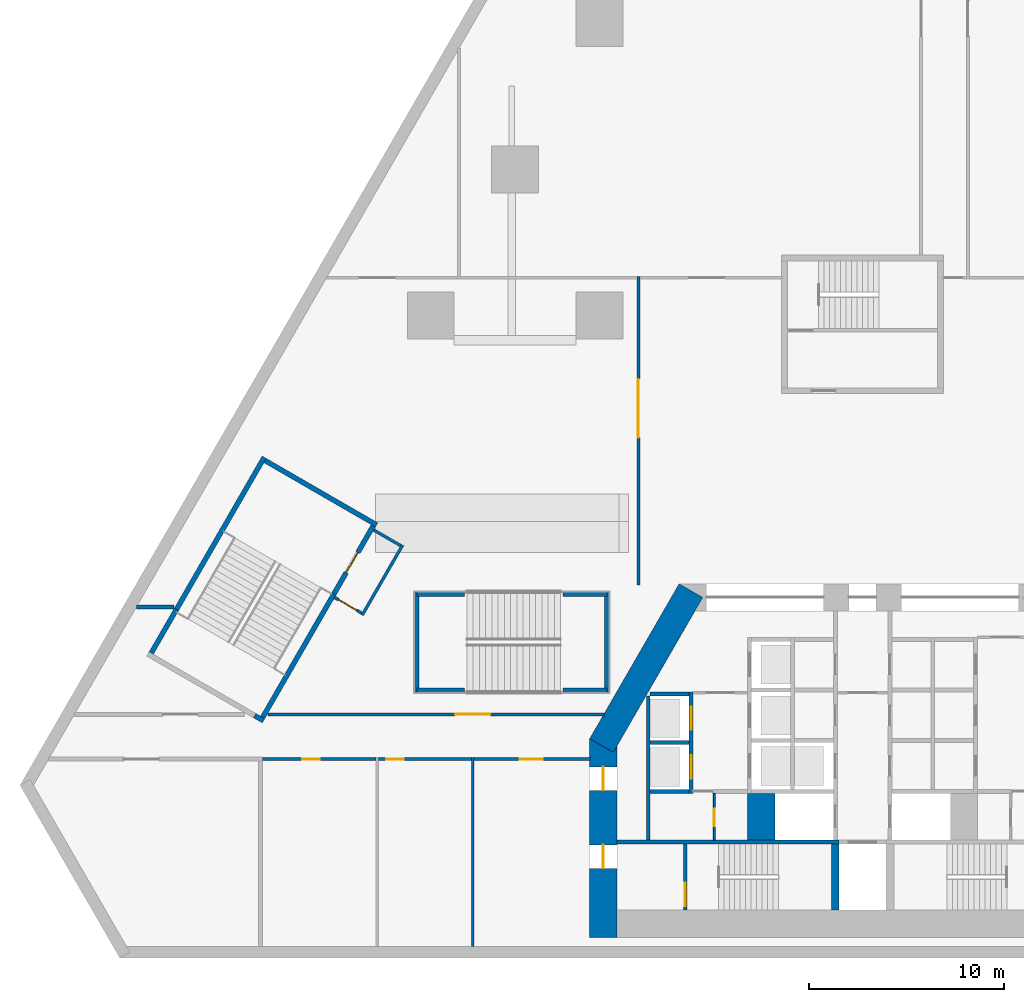
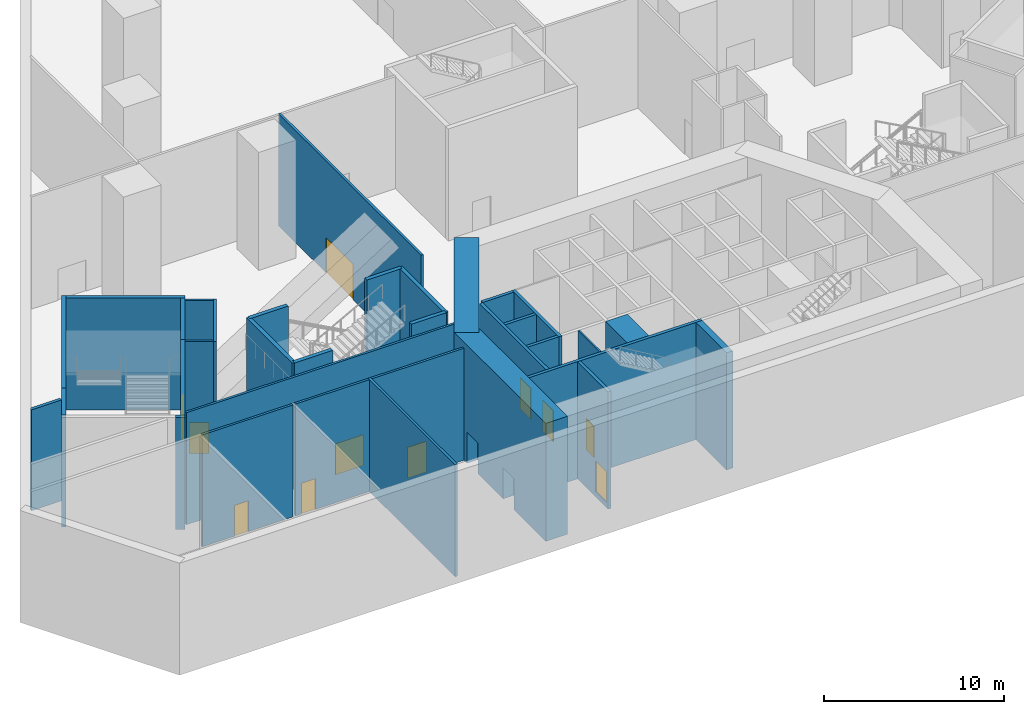
# One storey, part 2 of 11: 34 walls, 13 doors, 13 openings.
"""IFC4 building model written with IfcOpenShell, lengths in metres."""

from ifc_helpers import new_model, si_unit, direction, frame, frame_2d, origin, place, context, subcontext, project, spatial, rectangle, extrude, material, layer, layer_set, type_object, element, fill, save


model = new_model("IFC4")

# Units and contexts
model_context = context("Model", 3, precision=1e-05, world=origin(), true_north=direction((0.0, 1.0)))
body_context = subcontext(model_context, "Body", "Model", "MODEL_VIEW")
ifc_project = project(units=[si_unit("LENGTHUNIT", "METRE"), si_unit("AREAUNIT", "SQUARE_METRE"), si_unit("VOLUMEUNIT", "CUBIC_METRE"), si_unit("PLANEANGLEUNIT", "RADIAN"), si_unit("MASSUNIT", "GRAM", prefix="KILO")], contexts=[model_context])

# Site, building, storey
site_placement = place(None, origin())
site = spatial("IfcSite", under=ifc_project, at=site_placement, CompositionType="ELEMENT")
building_placement = place(site_placement, origin())
building = spatial("IfcBuilding", under=site, at=building_placement, Name="Fogline Exchange Tower", CompositionType="ELEMENT")
storey_placement = place(building_placement, frame((0.0, 0.0, -8.0)))
storey = spatial("IfcBuildingStorey", under=building, at=storey_placement, Name="B1", CompositionType="ELEMENT", Elevation=-8.0)

# Wall, opening, door
ifc_material_1 = material(Name="Blockwork partition", Category="masonry")
ifc_layer_1 = layer(ifc_material_1, 0.10009765625)
ifc_layer_set_1 = layer_set([ifc_layer_1], Name="CW10")
wall_type_1 = type_object("IfcWallType", Name="CW10", PredefinedType="PARTITIONING", material=ifc_layer_set_1)
wall_1_placement = place(storey_placement, frame((-7.60009765625, 5.85009765625, 0.0), z_axis=(0.0, 0.0, 1.0), x_axis=(0.0, 1.0, 0.0)))
wall_1 = element("IfcWall", 1, at=wall_1_placement, inside=storey, type_object=wall_type_1, Name="WC partition", PredefinedType="PARTITIONING", context=body_context, shape_type="SweptSolid", body=[
    extrude(rectangle(XDim=2.39990234375, YDim=0.10009765625, at=frame_2d((1.199951171875, 0.0))), origin(), (0.0, 0.0, 1.0), 7.60009765625),
])
opening_1_placement = place(wall_1_placement, frame((0.699951171875, 0.0, 0.0)))
opening_1 = element("IfcOpeningElement", 2, at=opening_1_placement, cuts=wall_1, Name="Opening B1-C013", PredefinedType="OPENING", context=body_context, shape_type="SweptSolid", body=[
    extrude(rectangle(XDim=0.89990234375, YDim=2.10009765625, at=frame_2d((0.449951171875, 1.050048828125))), frame((0.0, 0.06005859375, 0.0), z_axis=(0.0, -1.0, 0.0), x_axis=(1.0, 0.0, 0.0)), (0.0, 0.0, 1.0), 0.1201171875),
])
ifc_material_2 = material(Name="Steel and timber fire door", Category="steel")
door_type_1 = type_object("IfcDoorType", Name="D-CS1", OperationType="SINGLE_SWING_RIGHT", PredefinedType="DOOR", material=ifc_material_2)
door_1_placement = place(opening_1_placement, frame((0.89990234375, 0.0, 0.0), z_axis=(0.0, 0.0, 1.0), x_axis=(-1.0, 0.0, 0.0)))
door_1 = element("IfcDoor", 3, at=door_1_placement, inside=storey, type_object=door_type_1, Name="Door to Cleaner's Store", OperationType="SINGLE_SWING_RIGHT", OverallHeight=2.10009765625, OverallWidth=0.89990234375, PredefinedType="DOOR", context=body_context, shape_type="SweptSolid", body=[
    extrude(rectangle(XDim=0.89990234375, YDim=2.10009765625, at=frame_2d((0.449951171875, 1.050048828125))), frame((0.0, 0.02490234375, 0.0), z_axis=(0.0, -1.0, 0.0), x_axis=(1.0, 0.0, 0.0)), (0.0, 0.0, 1.0), 0.050048828125),
])
fill(opening_1, door_1)

# Walls
ifc_material_3 = material(Name="Concrete C60", Category="concrete")
ifc_layer_2 = layer(ifc_material_3, 1.39990234375)
ifc_layer_set_2 = layer_set([ifc_layer_2], Name="CW140")
wall_type_2 = type_object("IfcWallType", Name="CW140", PredefinedType="SOLIDWALL", material=ifc_layer_set_2)
wall_2_placement = place(storey_placement, frame((-5.199951171875, 5.85009765625, -0.35009765625), z_axis=(0.0, 0.0, 1.0), x_axis=(0.0, 1.0, 0.0)))
element("IfcWall", 4, at=wall_2_placement, inside=storey, type_object=wall_type_2, Name="Lift shaft block wall", PredefinedType="SOLIDWALL", context=body_context, shape_type="SweptSolid", body=[
    extrude(rectangle(XDim=2.39990234375, YDim=1.39990234375, at=frame_2d((1.199951171875, 0.0))), origin(), (0.0, 0.0, 1.0), 7.9501953125),
])
ifc_material_4 = material(Name="Concrete C40", Category="concrete")
ifc_layer_3 = layer(ifc_material_4, 0.199951171875)
ifc_layer_set_3 = layer_set([ifc_layer_3], Name="CW20")
wall_type_3 = type_object("IfcWallType", Name="CW20", PredefinedType="SOLIDWALL", material=ifc_layer_set_3)
wall_3_placement = place(storey_placement, frame((-11.0, 5.85009765625, 0.0), z_axis=(0.0, 0.0, 1.0), x_axis=(0.0, 1.0, 0.0)))
element("IfcWall", 5, at=wall_3_placement, inside=storey, type_object=wall_type_3, Name="Service room wall", PredefinedType="SOLIDWALL", context=body_context, shape_type="SweptSolid", body=[
    extrude(rectangle(XDim=7.39990234375, YDim=0.199951171875, at=frame_2d((3.699951171875, 0.0))), origin(), (0.0, 0.0, 1.0), 7.60009765625),
])
ifc_layer_4 = layer(ifc_material_4, 0.199951171875)
ifc_layer_set_4 = layer_set([ifc_layer_4], Name="CW20R")
wall_type_4 = type_object("IfcWallType", Name="CW20R", PredefinedType="SOLIDWALL", material=ifc_layer_set_4)
wall_4_placement = place(storey_placement, frame((-12.60009765625, 5.75, -0.35009765625), z_axis=(0.0, 0.0, 1.0), x_axis=(1.0, 0.0, 0.0)))
element("IfcWall", 6, at=wall_4_placement, inside=storey, type_object=wall_type_4, Name="Stair enclosure wall", PredefinedType="SOLIDWALL", context=body_context, shape_type="SweptSolid", body=[
    extrude(rectangle(XDim=11.400146484375, YDim=0.199951171875, at=frame_2d((5.7001953125, 0.0))), origin(), (0.0, 0.0, 1.0), 7.9501953125),
])

# Wall, opening, door
wall_5_placement = place(storey_placement, frame((-9.10009765625, 2.25, -0.35009765625), z_axis=(0.0, 0.0, 1.0), x_axis=(0.0, 1.0, 0.0)))
wall_5 = element("IfcWall", 7, at=wall_5_placement, inside=storey, type_object=wall_type_4, Name="Stair enclosure wall", PredefinedType="SOLIDWALL", context=body_context, shape_type="SweptSolid", body=[
    extrude(rectangle(XDim=3.39990234375, YDim=0.199951171875, at=frame_2d((1.699951171875, 0.0))), origin(), (0.0, 0.0, 1.0), 7.9501953125),
])
opening_2_placement = place(wall_5_placement, frame((0.199951171875, 0.0, 0.35009765625)))
opening_2 = element("IfcOpeningElement", 8, at=opening_2_placement, cuts=wall_5, Name="Opening B1-C015", PredefinedType="OPENING", context=body_context, shape_type="SweptSolid", body=[
    extrude(rectangle(XDim=1.199951171875, YDim=2.10009765625, at=frame_2d((0.60009765625, 1.050048828125))), frame((0.0, 0.10986328125, 0.0), z_axis=(0.0, -1.0, 0.0), x_axis=(1.0, 0.0, 0.0)), (0.0, 0.0, 1.0), 0.219970703125),
])
door_type_2 = type_object("IfcDoorType", Name="D-ST1", OperationType="SINGLE_SWING_LEFT", PredefinedType="DOOR", material=ifc_material_2)
door_2_placement = place(opening_2_placement, frame((1.199951171875, 0.0, 0.0), z_axis=(0.0, 0.0, 1.0), x_axis=(-1.0, 0.0, 0.0)))
door_2 = element("IfcDoor", 9, at=door_2_placement, inside=storey, type_object=door_type_2, Name="Stair door ST1", OperationType="SINGLE_SWING_RIGHT", OverallHeight=2.10009765625, OverallWidth=1.199951171875, PredefinedType="DOOR", context=body_context, shape_type="SweptSolid", body=[
    extrude(rectangle(XDim=1.199951171875, YDim=2.10009765625, at=frame_2d((0.60009765625, 1.050048828125))), frame((0.0, 0.02490234375, 0.0), z_axis=(0.0, -1.0, 0.0), x_axis=(1.0, 0.0, 0.0)), (0.0, 0.0, 1.0), 0.050048828125),
])
fill(opening_2, door_2)

# Wall, openings, doors
ifc_layer_5 = layer(ifc_material_4, 0.199951171875)
ifc_layer_set_5 = layer_set([ifc_layer_5], Name="CW20S")
wall_type_5 = type_object("IfcWallType", Name="CW20S", PredefinedType="SOLIDWALL", material=ifc_layer_set_5)
wall_6_placement = place(storey_placement, frame((-8.800048828125, 8.25, -0.35009765625), z_axis=(0.0, 0.0, 1.0), x_axis=(0.0, 1.0, 0.0)))
wall_6 = element("IfcWall", 10, at=wall_6_placement, inside=storey, type_object=wall_type_5, Name="Lift shaft wall", PredefinedType="SOLIDWALL", context=body_context, shape_type="SweptSolid", body=[
    extrude(rectangle(XDim=5.199951171875, YDim=0.199951171875, at=frame_2d((2.60009765625, 0.0))), origin(), (0.0, 0.0, 1.0), 7.9501953125),
])
opening_3_placement = place(wall_6_placement, frame((0.75, 0.0, 0.35009765625)))
opening_3 = element("IfcOpeningElement", 11, at=opening_3_placement, cuts=wall_6, Name="Opening B1-LD01", PredefinedType="OPENING", context=body_context, shape_type="SweptSolid", body=[
    extrude(rectangle(XDim=1.199951171875, YDim=2.10009765625, at=frame_2d((0.60009765625, 1.050048828125))), frame((0.0, 0.10986328125, 0.0), z_axis=(0.0, -1.0, 0.0), x_axis=(1.0, 0.0, 0.0)), (0.0, 0.0, 1.0), 0.219970703125),
])
opening_4_placement = place(wall_6_placement, frame((3.25, 0.0, 0.35009765625)))
opening_4 = element("IfcOpeningElement", 12, at=opening_4_placement, cuts=wall_6, Name="Opening B1-LD02", PredefinedType="OPENING", context=body_context, shape_type="SweptSolid", body=[
    extrude(rectangle(XDim=1.199951171875, YDim=2.10009765625, at=frame_2d((0.60009765625, 1.050048828125))), frame((0.0, 0.10986328125, 0.0), z_axis=(0.0, -1.0, 0.0), x_axis=(1.0, 0.0, 0.0)), (0.0, 0.0, 1.0), 0.219970703125),
])
door_type_3 = type_object("IfcDoorType", Name="LD1", OperationType="SLIDING_TO_LEFT", PredefinedType="DOOR", material=ifc_material_2)
door_3_placement = place(opening_3_placement, origin())
door_3 = element("IfcDoor", 13, at=door_3_placement, inside=storey, type_object=door_type_3, Name="Landing door LR1", OperationType="SLIDING_TO_LEFT", OverallHeight=2.10009765625, OverallWidth=1.199951171875, PredefinedType="DOOR", context=body_context, shape_type="SweptSolid", body=[
    extrude(rectangle(XDim=1.199951171875, YDim=2.10009765625, at=frame_2d((0.60009765625, 1.050048828125))), frame((0.0, 0.02490234375, 0.0), z_axis=(0.0, -1.0, 0.0), x_axis=(1.0, 0.0, 0.0)), (0.0, 0.0, 1.0), 0.050048828125),
])
fill(opening_3, door_3)
door_4_placement = place(opening_4_placement, origin())
door_4 = element("IfcDoor", 14, at=door_4_placement, inside=storey, type_object=door_type_3, Name="Landing door LR2", OperationType="SLIDING_TO_LEFT", OverallHeight=2.10009765625, OverallWidth=1.199951171875, PredefinedType="DOOR", context=body_context, shape_type="SweptSolid", body=[
    extrude(rectangle(XDim=1.199951171875, YDim=2.10009765625, at=frame_2d((0.60009765625, 1.050048828125))), frame((0.0, 0.02490234375, 0.0), z_axis=(0.0, -1.0, 0.0), x_axis=(1.0, 0.0, 0.0)), (0.0, 0.0, 1.0), 0.050048828125),
])
fill(opening_4, door_4)

# Walls
for number, where, z_axis, x_axis, name in (
    (15, (-10.89990234375, 8.35009765625, -0.35009765625), (0.0, 0.0, 1.0), (1.0, 0.0, 0.0), "Lift shaft wall"),
    (16, (-10.89990234375, 10.85009765625, -0.35009765625), (0.0, 0.0, 1.0), (1.0, 0.0, 0.0), "Lift shaft wall"),
    (17, (-10.89990234375, 13.35009765625, -0.35009765625), (0.0, 0.0, 1.0), (1.0, 0.0, 0.0), "Lift shaft wall"),
):
    element("IfcWall", number, at=place(storey_placement, frame(where, z_axis=z_axis, x_axis=x_axis)), inside=storey, type_object=wall_type_5, Name=name, PredefinedType="SOLIDWALL", context=body_context, shape_type="SweptSolid", body=[
        extrude(rectangle(XDim=2.0, YDim=0.199951171875, at=frame_2d((1.0, 0.0))), origin(), (0.0, 0.0, 1.0), 7.9501953125),
    ])
ifc_layer_6 = layer(ifc_material_4, 0.39990234375)
ifc_layer_set_6 = layer_set([ifc_layer_6], Name="CW40R")
wall_type_6 = type_object("IfcWallType", Name="CW40R", PredefinedType="SOLIDWALL", material=ifc_layer_set_6)
wall_7_placement = place(storey_placement, frame((-1.39990234375, 2.25, -0.35009765625), z_axis=(0.0, 0.0, 1.0), x_axis=(0.0, 1.0, 0.0)))
element("IfcWall", 18, at=wall_7_placement, inside=storey, type_object=wall_type_6, Name="Stair and lift shaft wall", PredefinedType="SOLIDWALL", context=body_context, shape_type="SweptSolid", body=[
    extrude(rectangle(XDim=3.39990234375, YDim=0.39990234375, at=frame_2d((1.699951171875, 0.0))), origin(), (0.0, 0.0, 1.0), 7.9501953125),
])
ifc_material_5 = material(Name="Plasterboard on steel stud", Category="steel")
ifc_layer_7 = layer(ifc_material_5, 0.14990234375)
ifc_layer_set_7 = layer_set([ifc_layer_7], Name="PP1")
wall_type_7 = type_object("IfcWallType", Name="PP1", PredefinedType="PARTITIONING", material=ifc_layer_set_7)
wall_8_placement = place(storey_placement, frame((-20.0, 0.39990234375, 0.0), z_axis=(0.0, 0.0, 1.0), x_axis=(0.0, 1.0, 0.0)))
element("IfcWall", 19, at=wall_8_placement, inside=storey, type_object=wall_type_7, Name="PP1 partition", PredefinedType="PARTITIONING", context=body_context, shape_type="SweptSolid", body=[
    extrude(rectangle(XDim=9.675048828125, YDim=0.14990234375, at=frame_2d((4.83740234375, 0.0))), origin(), (0.0, 0.0, 1.0), 7.60009765625),
])

# Wall, opening, door
wall_9_placement = place(storey_placement, frame((-24.97509765625, 10.0, 0.0), z_axis=(0.0, 0.0, 1.0), x_axis=(-1.0, 0.0, 0.0)))
wall_9 = element("IfcWall", 20, at=wall_9_placement, inside=storey, type_object=wall_type_7, Name="PP1 partition", PredefinedType="PARTITIONING", context=body_context, shape_type="SweptSolid", body=[
    extrude(rectangle(XDim=5.824951171875, YDim=0.14990234375, at=frame_2d((2.91259765625, 0.0))), origin(), (0.0, 0.0, 1.0), 7.60009765625),
])
opening_5_placement = place(wall_9_placement, frame((2.875, 0.0, 0.0)))
opening_5 = element("IfcOpeningElement", 21, at=opening_5_placement, cuts=wall_9, Name="Opening B1-D014", PredefinedType="OPENING", context=body_context, shape_type="SweptSolid", body=[
    extrude(rectangle(XDim=0.89990234375, YDim=2.10009765625, at=frame_2d((0.449951171875, 1.050048828125))), frame((0.0, 0.0849609375, 0.0), z_axis=(0.0, -1.0, 0.0), x_axis=(1.0, 0.0, 0.0)), (0.0, 0.0, 1.0), 0.169921875),
])
ifc_material_6 = material(Name="Timber", Category="wood")
door_type_4 = type_object("IfcDoorType", Name="PD2", OperationType="SINGLE_SWING_LEFT", PredefinedType="DOOR", material=ifc_material_6)
door_5_placement = place(opening_5_placement, origin())
door_5 = element("IfcDoor", 22, at=door_5_placement, inside=storey, type_object=door_type_4, Name="B1-D014", OperationType="SINGLE_SWING_RIGHT", OverallHeight=2.10009765625, OverallWidth=0.89990234375, PredefinedType="DOOR", context=body_context, shape_type="SweptSolid", body=[
    extrude(rectangle(XDim=0.89990234375, YDim=2.10009765625, at=frame_2d((0.449951171875, 1.050048828125))), frame((0.0, 0.02490234375, 0.0), z_axis=(0.0, -1.0, 0.0), x_axis=(1.0, 0.0, 0.0)), (0.0, 0.0, 1.0), 0.050048828125),
])
fill(opening_5, door_5)

wall_10_placement = place(storey_placement, frame((-20.074951171875, 10.0, 0.0), z_axis=(0.0, 0.0, 1.0), x_axis=(-1.0, 0.0, 0.0)))
wall_10 = element("IfcWall", 23, at=wall_10_placement, inside=storey, type_object=wall_type_7, Name="PP1 partition", PredefinedType="PARTITIONING", context=body_context, shape_type="SweptSolid", body=[
    extrude(rectangle(XDim=4.75, YDim=0.14990234375, at=frame_2d((2.375, 0.0))), origin(), (0.0, 0.0, 1.0), 7.60009765625),
])
opening_6_placement = place(wall_10_placement, frame((3.47509765625, 0.0, 0.0)))
opening_6 = element("IfcOpeningElement", 24, at=opening_6_placement, cuts=wall_10, Name="Opening B1-D015", PredefinedType="OPENING", context=body_context, shape_type="SweptSolid", body=[
    extrude(rectangle(XDim=0.89990234375, YDim=2.10009765625, at=frame_2d((0.449951171875, 1.050048828125))), frame((0.0, 0.0849609375, 0.0), z_axis=(0.0, -1.0, 0.0), x_axis=(1.0, 0.0, 0.0)), (0.0, 0.0, 1.0), 0.169921875),
])
door_6_placement = place(opening_6_placement, origin())
door_6 = element("IfcDoor", 25, at=door_6_placement, inside=storey, type_object=door_type_4, Name="B1-D015", OperationType="SINGLE_SWING_RIGHT", OverallHeight=2.10009765625, OverallWidth=0.89990234375, PredefinedType="DOOR", context=body_context, shape_type="SweptSolid", body=[
    extrude(rectangle(XDim=0.89990234375, YDim=2.10009765625, at=frame_2d((0.449951171875, 1.050048828125))), frame((0.0, 0.02490234375, 0.0), z_axis=(0.0, -1.0, 0.0), x_axis=(1.0, 0.0, 0.0)), (0.0, 0.0, 1.0), 0.050048828125),
])
fill(opening_6, door_6)

wall_11_placement = place(storey_placement, frame((-19.925048828125, 10.0, 0.0), z_axis=(0.0, 0.0, 1.0), x_axis=(1.0, 0.0, 0.0)))
wall_11 = element("IfcWall", 26, at=wall_11_placement, inside=storey, type_object=wall_type_7, Name="PP1 partition", PredefinedType="PARTITIONING", context=body_context, shape_type="SweptSolid", body=[
    extrude(rectangle(XDim=5.969970703125, YDim=0.14990234375, at=frame_2d((2.98486328125, 0.0))), origin(), (0.0, 0.0, 1.0), 7.60009765625),
])
opening_7_placement = place(wall_11_placement, frame((2.324951171875, 0.0, 0.0)))
opening_7 = element("IfcOpeningElement", 27, at=opening_7_placement, cuts=wall_11, Name="Opening B1-D008", PredefinedType="OPENING", context=body_context, shape_type="SweptSolid", body=[
    extrude(rectangle(XDim=1.199951171875, YDim=2.10009765625, at=frame_2d((0.60009765625, 1.050048828125))), frame((0.0, 0.0849609375, 0.0), z_axis=(0.0, -1.0, 0.0), x_axis=(1.0, 0.0, 0.0)), (0.0, 0.0, 1.0), 0.169921875),
])
ifc_material_7 = material(Name="Steel Q235B", Category="steel")
door_type_5 = type_object("IfcDoorType", Name="PD7", OperationType="SINGLE_SWING_LEFT", PredefinedType="DOOR", material=ifc_material_7)
door_7_placement = place(opening_7_placement, frame((1.199951171875, 0.0, 0.0), z_axis=(0.0, 0.0, 1.0), x_axis=(-1.0, 0.0, 0.0)))
door_7 = element("IfcDoor", 28, at=door_7_placement, inside=storey, type_object=door_type_5, Name="B1-D008", OperationType="SINGLE_SWING_RIGHT", OverallHeight=2.10009765625, OverallWidth=1.199951171875, PredefinedType="DOOR", context=body_context, shape_type="SweptSolid", body=[
    extrude(rectangle(XDim=1.199951171875, YDim=2.10009765625, at=frame_2d((0.60009765625, 1.050048828125))), frame((0.0, 0.02490234375, 0.0), z_axis=(0.0, -1.0, 0.0), x_axis=(1.0, 0.0, 0.0)), (0.0, 0.0, 1.0), 0.050048828125),
])
fill(opening_7, door_7)

wall_12_placement = place(storey_placement, frame((-30.502197265625, 12.300048828125, 0.0), z_axis=(0.0, 0.0, 1.0), x_axis=(1.0, 0.0, 0.0)))
wall_12 = element("IfcWall", 29, at=wall_12_placement, inside=storey, type_object=wall_type_7, Name="PP1 partition", PredefinedType="PARTITIONING", context=body_context, shape_type="SweptSolid", body=[
    extrude(rectangle(XDim=17.2626953125, YDim=0.14990234375, at=frame_2d((8.63134765625, 0.0))), origin(), (0.0, 0.0, 1.0), 7.60009765625),
])
opening_8_placement = place(wall_12_placement, frame((9.602294921875, 0.0, 0.0)))
opening_8 = element("IfcOpeningElement", 30, at=opening_8_placement, cuts=wall_12, Name="Opening B1-D017", PredefinedType="OPENING", context=body_context, shape_type="SweptSolid", body=[
    extrude(rectangle(XDim=1.800048828125, YDim=2.10009765625, at=frame_2d((0.89990234375, 1.050048828125))), frame((0.0, 0.0849609375, 0.0), z_axis=(0.0, -1.0, 0.0), x_axis=(1.0, 0.0, 0.0)), (0.0, 0.0, 1.0), 0.169921875),
])
door_type_6 = type_object("IfcDoorType", Name="PD3", OperationType="DOUBLE_DOOR_SINGLE_SWING", PredefinedType="DOOR", material=ifc_material_6)
door_8_placement = place(opening_8_placement, frame((1.800048828125, 0.0, 0.0), z_axis=(0.0, 0.0, 1.0), x_axis=(-1.0, 0.0, 0.0)))
door_8 = element("IfcDoor", 31, at=door_8_placement, inside=storey, type_object=door_type_6, Name="B1-D017", OperationType="DOUBLE_DOOR_SINGLE_SWING", OverallHeight=2.10009765625, OverallWidth=1.800048828125, PredefinedType="DOOR", context=body_context, shape_type="SweptSolid", body=[
    extrude(rectangle(XDim=1.800048828125, YDim=2.10009765625, at=frame_2d((0.89990234375, 1.050048828125))), frame((0.0, 0.02490234375, 0.0), z_axis=(0.0, -1.0, 0.0), x_axis=(1.0, 0.0, 0.0)), (0.0, 0.0, 1.0), 0.050048828125),
])
fill(opening_8, door_8)

wall_13_placement = place(storey_placement, frame((-25.70068359375, 17.494384765625, 0.0), z_axis=(0.0, 0.0, 1.0), x_axis=(-0.866028054938, 0.499995408039, 0.0)))
wall_13 = element("IfcWall", 32, at=wall_13_placement, inside=storey, type_object=wall_type_7, Name="PP1 partition", PredefinedType="PARTITIONING", context=body_context, shape_type="SweptSolid", body=[
    extrude(rectangle(XDim=1.60009765625, YDim=0.14990234375, at=frame_2d((0.800048828125, 0.0))), origin(), (0.0, 0.0, 1.0), 7.60009765625),
])
opening_9_placement = place(wall_13_placement, frame((0.27490234375, 0.0, 0.0)))
opening_9 = element("IfcOpeningElement", 33, at=opening_9_placement, cuts=wall_13, Name="Opening B1-D005", PredefinedType="OPENING", context=body_context, shape_type="SweptSolid", body=[
    extrude(rectangle(XDim=1.10009765625, YDim=2.10009765625, at=frame_2d((0.550048828125, 1.050048828125))), frame((0.0, 0.0849609375, 0.0), z_axis=(0.0, -1.0, 0.0), x_axis=(1.0, 0.0, 0.0)), (0.0, 0.0, 1.0), 0.169921875),
])
door_type_7 = type_object("IfcDoorType", Name="PD5", OperationType="SINGLE_SWING_LEFT", PredefinedType="DOOR", material=ifc_material_7)
door_9_placement = place(opening_9_placement, origin())
door_9 = element("IfcDoor", 34, at=door_9_placement, inside=storey, type_object=door_type_7, Name="B1-D005", OperationType="SINGLE_SWING_RIGHT", OverallHeight=2.10009765625, OverallWidth=1.10009765625, PredefinedType="DOOR", context=body_context, shape_type="SweptSolid", body=[
    extrude(rectangle(XDim=1.10009765625, YDim=2.10009765625, at=frame_2d((0.550048828125, 1.050048828125))), frame((0.0, 0.02490234375, 0.0), z_axis=(0.0, -1.0, 0.0), x_axis=(1.0, 0.0, 0.0)), (0.0, 0.0, 1.0), 0.050048828125),
])
fill(opening_9, door_9)

# Walls
wall_14_placement = place(storey_placement, frame((-23.598388671875, 20.986083984375, 0.0), z_axis=(0.0, 0.0, 1.0), x_axis=(-0.499922756636, -0.866069995669, 0.0)))
element("IfcWall", 35, at=wall_14_placement, inside=storey, type_object=wall_type_7, Name="PP1 partition", PredefinedType="PARTITIONING", context=body_context, shape_type="SweptSolid", body=[
    extrude(rectangle(XDim=4.150146484375, YDim=0.14990234375, at=frame_2d((2.0751953125, 0.0))), origin(), (0.0, 0.0, 1.0), 7.60009765625),
])
wall_15_placement = place(storey_placement, frame((-25.086669921875, 21.758544921875, 0.0), z_axis=(0.0, 0.0, 1.0), x_axis=(0.866038271014, -0.499977712642, 0.0)))
element("IfcWall", 36, at=wall_15_placement, inside=storey, type_object=wall_type_7, Name="PP1 partition", PredefinedType="PARTITIONING", context=body_context, shape_type="SweptSolid", body=[
    extrude(rectangle(XDim=1.6005859375, YDim=0.14990234375, at=frame_2d((0.80029296875, 0.0))), origin(), (0.0, 0.0, 1.0), 7.60009765625),
])

# Wall, opening, door
wall_16_placement = place(storey_placement, frame((-11.5, 34.77490234375, 0.0), z_axis=(0.0, 0.0, 1.0), x_axis=(0.0, -1.0, 0.0)))
wall_16 = element("IfcWall", 37, at=wall_16_placement, inside=storey, type_object=wall_type_7, Name="PP1 partition", PredefinedType="PARTITIONING", context=body_context, shape_type="SweptSolid", body=[
    extrude(rectangle(XDim=15.849853515625, YDim=0.14990234375, at=frame_2d((7.9248046875, 0.0))), origin(), (0.0, 0.0, 1.0), 7.60009765625),
])
opening_10_placement = place(wall_16_placement, frame((5.27490234375, 0.0, 0.0)))
opening_10 = element("IfcOpeningElement", 38, at=opening_10_placement, cuts=wall_16, Name="Opening B1-D002", PredefinedType="OPENING", context=body_context, shape_type="SweptSolid", body=[
    extrude(rectangle(XDim=3.0, YDim=2.39990234375, at=frame_2d((1.5, 1.199951171875))), frame((0.0, 0.0849609375, 0.0), z_axis=(0.0, -1.0, 0.0), x_axis=(1.0, 0.0, 0.0)), (0.0, 0.0, 1.0), 0.169921875),
])
door_type_8 = type_object("IfcDoorType", Name="PD13", OperationType="DOUBLE_DOOR_SINGLE_SWING", PredefinedType="DOOR", material=ifc_material_7)
door_10_placement = place(opening_10_placement, origin())
door_10 = element("IfcDoor", 39, at=door_10_placement, inside=storey, type_object=door_type_8, Name="B1-D002", OperationType="DOUBLE_DOOR_SINGLE_SWING", OverallHeight=2.39990234375, OverallWidth=3.0, PredefinedType="DOOR", context=body_context, shape_type="SweptSolid", body=[
    extrude(rectangle(XDim=3.0, YDim=2.39990234375, at=frame_2d((1.5, 1.199951171875))), frame((0.0, 0.02490234375, 0.0), z_axis=(0.0, -1.0, 0.0), x_axis=(1.0, 0.0, 0.0)), (0.0, 0.0, 1.0), 0.050048828125),
])
fill(opening_10, door_10)

# Walls
ifc_material_8 = material(Name="Concrete block masonry", Category="masonry")
ifc_layer_8 = layer(ifc_material_8, 0.199951171875)
ifc_layer_set_8 = layer_set([ifc_layer_8], Name="PP2")
wall_type_8 = type_object("IfcWallType", Name="PP2", PredefinedType="PARTITIONING", material=ifc_layer_set_8)
wall_17_placement = place(storey_placement, frame((-37.26123046875, 17.800048828125, 0.0), z_axis=(0.0, 0.0, 1.0), x_axis=(1.0, 0.0, 0.0)))
element("IfcWall", 40, at=wall_17_placement, inside=storey, type_object=wall_type_8, Name="PP2 partition", PredefinedType="PARTITIONING", context=body_context, shape_type="SweptSolid", body=[
    extrude(rectangle(XDim=1.919921875, YDim=0.199951171875, at=frame_2d((0.9599609375, 0.0))), origin(), (0.0, 0.0, 1.0), 6.85009765625),
])
ifc_layer_9 = layer(ifc_material_4, 0.25)
ifc_layer_set_9 = layer_set([ifc_layer_9], Name="PP3")
wall_type_9 = type_object("IfcWallType", Name="PP3", PredefinedType="SOLIDWALL", material=ifc_layer_set_9)
wall_18_placement = place(storey_placement, frame((-30.736083984375, 11.972412109375, 0.0), z_axis=(0.0, 0.0, 1.0), x_axis=(-0.866139611167, 0.499802134818, 0.0)))
element("IfcWall", 41, at=wall_18_placement, inside=storey, type_object=wall_type_9, Name="PP3 bearing wall", PredefinedType="SOLIDWALL", context=body_context, shape_type="SweptSolid", body=[
    extrude(rectangle(XDim=0.530517578125, YDim=0.25, at=frame_2d((0.26513671875, 0.0))), origin(), (0.0, 0.0, 1.0), 7.60009765625),
])
wall_19_placement = place(storey_placement, frame((-36.497802734375, 15.44287109375, 0.0), z_axis=(0.0, 0.0, 1.0), x_axis=(0.499972073481, 0.866041526567, 0.0)))
element("IfcWall", 42, at=wall_19_placement, inside=storey, type_object=wall_type_9, Name="PP3 bearing wall", PredefinedType="SOLIDWALL", context=body_context, shape_type="SweptSolid", body=[
    extrude(rectangle(XDim=2.596435546875, YDim=0.25, at=frame_2d((1.29833984375, 0.0))), origin(), (0.0, 0.0, 1.0), 7.60009765625),
])
wall_20_placement = place(storey_placement, frame((-35.199462890625, 17.691650390625, 0.0), z_axis=(0.0, 0.0, 1.0), x_axis=(0.49997126526, 0.866041993159, 0.0)))
element("IfcWall", 43, at=wall_20_placement, inside=storey, type_object=wall_type_9, Name="PP3 bearing wall", PredefinedType="SOLIDWALL", context=body_context, shape_type="SweptSolid", body=[
    extrude(rectangle(XDim=9.00341796875, YDim=0.25, at=frame_2d((4.501708984375, 0.0))), origin(), (0.0, 0.0, 1.0), 7.60009765625),
])
wall_21_placement = place(storey_placement, frame((-27.132080078125, 18.465087890625, 0.0), z_axis=(0.0, 0.0, 1.0), x_axis=(-0.499977226672, -0.866038551572, 0.0)))
element("IfcWall", 44, at=wall_21_placement, inside=storey, type_object=wall_type_9, Name="PP3 bearing wall", PredefinedType="SOLIDWALL", context=body_context, shape_type="SweptSolid", body=[
    extrude(rectangle(XDim=7.299560546875, YDim=0.25, at=frame_2d((3.64990234375, 0.0))), origin(), (0.0, 0.0, 1.0), 7.60009765625),
])

# Wall, opening, door
wall_22_placement = place(storey_placement, frame((-25.107177734375, 21.972412109375, 0.0), z_axis=(0.0, 0.0, 1.0), x_axis=(-0.499990325971, -0.866030989016, 0.0)))
wall_22 = element("IfcWall", 45, at=wall_22_placement, inside=storey, type_object=wall_type_9, Name="PP3 bearing wall", PredefinedType="SOLIDWALL", context=body_context, shape_type="SweptSolid", body=[
    extrude(rectangle(XDim=4.0498046875, YDim=0.25, at=frame_2d((2.02490234375, 0.0))), origin(), (0.0, 0.0, 1.0), 7.60009765625),
])
opening_11_placement = place(wall_22_placement, frame((1.574951171875, 0.0, 0.0)))
opening_11 = element("IfcOpeningElement", 46, at=opening_11_placement, cuts=wall_22, Name="Opening B1-D004", PredefinedType="OPENING", context=body_context, shape_type="SweptSolid", body=[
    extrude(rectangle(XDim=1.199951171875, YDim=2.10009765625, at=frame_2d((0.60009765625, 1.050048828125))), frame((0.0, 0.135009765625, 0.0), z_axis=(0.0, -1.0, 0.0), x_axis=(1.0, 0.0, 0.0)), (0.0, 0.0, 1.0), 0.27001953125),
])
door_11_placement = place(opening_11_placement, origin())
door_11 = element("IfcDoor", 47, at=door_11_placement, inside=storey, type_object=door_type_5, Name="B1-D004", OperationType="SINGLE_SWING_RIGHT", OverallHeight=2.10009765625, OverallWidth=1.199951171875, PredefinedType="DOOR", context=body_context, shape_type="SweptSolid", body=[
    extrude(rectangle(XDim=1.199951171875, YDim=2.10009765625, at=frame_2d((0.60009765625, 1.050048828125))), frame((0.0, 0.02490234375, 0.0), z_axis=(0.0, -1.0, 0.0), x_axis=(1.0, 0.0, 0.0)), (0.0, 0.0, 1.0), 0.050048828125),
])
fill(opening_11, door_11)

# Walls
wall_23_placement = place(storey_placement, frame((-30.652099609375, 25.318115234375, 0.0), z_axis=(0.0, 0.0, 1.0), x_axis=(0.866040211805, -0.499974350878, 0.0)))
element("IfcWall", 48, at=wall_23_placement, inside=storey, type_object=wall_type_9, Name="PP3 bearing wall", PredefinedType="SOLIDWALL", context=body_context, shape_type="SweptSolid", body=[
    extrude(rectangle(XDim=6.599853515625, YDim=0.25, at=frame_2d((3.2998046875, 0.0))), origin(), (0.0, 0.0, 1.0), 7.60009765625),
])
ifc_layer_10 = layer(ifc_material_4, 0.25)
ifc_layer_set_10 = layer_set([ifc_layer_10], Name="PP6")
wall_type_10 = type_object("IfcWallType", Name="PP6", PredefinedType="SOLIDWALL", material=ifc_layer_set_10)
wall_24_placement = place(storey_placement, frame((-13.125, 13.449951171875, 0.0), z_axis=(0.0, 0.0, 1.0), x_axis=(0.0, 1.0, 0.0)))
element("IfcWall", 49, at=wall_24_placement, inside=storey, type_object=wall_type_10, Name="PP6 bearing wall", PredefinedType="SOLIDWALL", context=body_context, shape_type="SweptSolid", body=[
    extrude(rectangle(XDim=5.10009765625, YDim=0.25, at=frame_2d((2.550048828125, 0.0))), origin(), (0.0, 0.0, 1.0), 7.60009765625),
])
for number, where, z_axis, x_axis, name in (
    (50, (-13.125, 13.52490234375, 0.0), (0.0, 0.0, 1.0), (-1.0, 0.0, 0.0), "PP6 bearing wall"),
    (51, (-13.125, 18.47509765625, 0.0), (0.0, 0.0, 1.0), (-1.0, 0.0, 0.0), "PP6 bearing wall"),
):
    element("IfcWall", number, at=place(storey_placement, frame(where, z_axis=z_axis, x_axis=x_axis)), inside=storey, type_object=wall_type_10, Name=name, PredefinedType="SOLIDWALL", context=body_context, shape_type="SweptSolid", body=[
        extrude(rectangle(XDim=2.25, YDim=0.25, at=frame_2d((1.125, 0.0))), origin(), (0.0, 0.0, 1.0), 7.60009765625),
    ])
wall_25_placement = place(storey_placement, frame((-22.875, 13.449951171875, 0.0), z_axis=(0.0, 0.0, 1.0), x_axis=(0.0, 1.0, 0.0)))
element("IfcWall", 52, at=wall_25_placement, inside=storey, type_object=wall_type_10, Name="PP6 bearing wall", PredefinedType="SOLIDWALL", context=body_context, shape_type="SweptSolid", body=[
    extrude(rectangle(XDim=5.10009765625, YDim=0.25, at=frame_2d((2.550048828125, 0.0))), origin(), (0.0, 0.0, 1.0), 7.60009765625),
])
for number, where, z_axis, x_axis, name in (
    (53, (-22.875, 13.52490234375, 0.0), (0.0, 0.0, 1.0), (1.0, 0.0, 0.0), "PP6 bearing wall"),
    (54, (-22.875, 18.47509765625, 0.0), (0.0, 0.0, 1.0), (1.0, 0.0, 0.0), "PP6 bearing wall"),
):
    element("IfcWall", number, at=place(storey_placement, frame(where, z_axis=z_axis, x_axis=x_axis)), inside=storey, type_object=wall_type_10, Name=name, PredefinedType="SOLIDWALL", context=body_context, shape_type="SweptSolid", body=[
        extrude(rectangle(XDim=2.449951171875, YDim=0.25, at=frame_2d((1.22509765625, 0.0))), origin(), (0.0, 0.0, 1.0), 7.60009765625),
    ])
ifc_layer_11 = layer(ifc_material_3, 1.39990234375)
ifc_layer_set_11 = layer_set([ifc_layer_11], Name="SW01")
wall_type_11 = type_object("IfcWallType", Name="SW01", PredefinedType="SHEAR", material=ifc_layer_set_11)
wall_26_placement = place(storey_placement, frame((-8.805419921875, 18.64990234375, 0.0), z_axis=(0.0, 0.0, 1.0), x_axis=(-0.50000187635, -0.866024320471, 0.0)))
element("IfcWall", 55, at=wall_26_placement, inside=storey, type_object=wall_type_11, Name="B1-W905", PredefinedType="SHEAR", context=body_context, shape_type="SweptSolid", body=[
    extrude(rectangle(XDim=9.1767578125, YDim=1.39990234375, at=frame_2d((4.58837890625, 0.0))), origin(), (0.0, 0.0, 1.0), 8.0),
])

# Wall, openings, doors
wall_27_placement = place(storey_placement, frame((-13.300048828125, 11.052490234375, 0.0), z_axis=(0.0, 0.0, 1.0), x_axis=(0.0, -1.0, 0.0)))
wall_27 = element("IfcWall", 56, at=wall_27_placement, inside=storey, type_object=wall_type_11, Name="B1-W906", PredefinedType="SHEAR", context=body_context, shape_type="SweptSolid", body=[
    extrude(rectangle(XDim=10.202392578125, YDim=1.39990234375, at=frame_2d((5.10107421875, 0.0))), origin(), (0.0, 0.0, 1.0), 8.0),
])
opening_12_placement = place(wall_27_placement, frame((5.45263671875, 0.0, 0.0)))
opening_12 = element("IfcOpeningElement", 57, at=opening_12_placement, cuts=wall_27, Name="Opening B1-C014", PredefinedType="OPENING", context=body_context, shape_type="SweptSolid", body=[
    extrude(rectangle(XDim=1.199951171875, YDim=2.10009765625, at=frame_2d((0.60009765625, 1.050048828125))), frame((0.0, 0.7099609375, 0.0), z_axis=(0.0, -1.0, 0.0), x_axis=(1.0, 0.0, 0.0)), (0.0, 0.0, 1.0), 1.419921875),
])
opening_13_placement = place(wall_27_placement, frame((1.45263671875, 0.0, 0.0)))
opening_13 = element("IfcOpeningElement", 58, at=opening_13_placement, cuts=wall_27, Name="Opening B1-C016", PredefinedType="OPENING", context=body_context, shape_type="SweptSolid", body=[
    extrude(rectangle(XDim=1.199951171875, YDim=2.10009765625, at=frame_2d((0.60009765625, 1.050048828125))), frame((0.0, 0.7099609375, 0.0), z_axis=(0.0, -1.0, 0.0), x_axis=(1.0, 0.0, 0.0)), (0.0, 0.0, 1.0), 1.419921875),
])
door_type_9 = type_object("IfcDoorType", Name="D-FR1", OperationType="SINGLE_SWING_RIGHT", PredefinedType="DOOR", material=ifc_material_2)
door_12_placement = place(opening_12_placement, origin())
door_12 = element("IfcDoor", 59, at=door_12_placement, inside=storey, type_object=door_type_9, Name="Front room door ST1", OperationType="SINGLE_SWING_LEFT", OverallHeight=2.10009765625, OverallWidth=1.199951171875, PredefinedType="DOOR", context=body_context, shape_type="SweptSolid", body=[
    extrude(rectangle(XDim=1.199951171875, YDim=2.10009765625, at=frame_2d((0.60009765625, 1.050048828125))), frame((0.0, 0.02490234375, 0.0), z_axis=(0.0, -1.0, 0.0), x_axis=(1.0, 0.0, 0.0)), (0.0, 0.0, 1.0), 0.050048828125),
])
fill(opening_12, door_12)
door_type_10 = type_object("IfcDoorType", Name="D-SV1", OperationType="SINGLE_SWING_LEFT", PredefinedType="DOOR", material=ifc_material_2)
door_13_placement = place(opening_13_placement, origin())
door_13 = element("IfcDoor", 60, at=door_13_placement, inside=storey, type_object=door_type_10, Name="Service door W", OperationType="SINGLE_SWING_LEFT", OverallHeight=2.10009765625, OverallWidth=1.199951171875, PredefinedType="DOOR", context=body_context, shape_type="SweptSolid", body=[
    extrude(rectangle(XDim=1.199951171875, YDim=2.10009765625, at=frame_2d((0.60009765625, 1.050048828125))), frame((0.0, 0.02490234375, 0.0), z_axis=(0.0, -1.0, 0.0), x_axis=(1.0, 0.0, 0.0)), (0.0, 0.0, 1.0), 0.050048828125),
])
fill(opening_13, door_13)

save(model, "model.ifc")
